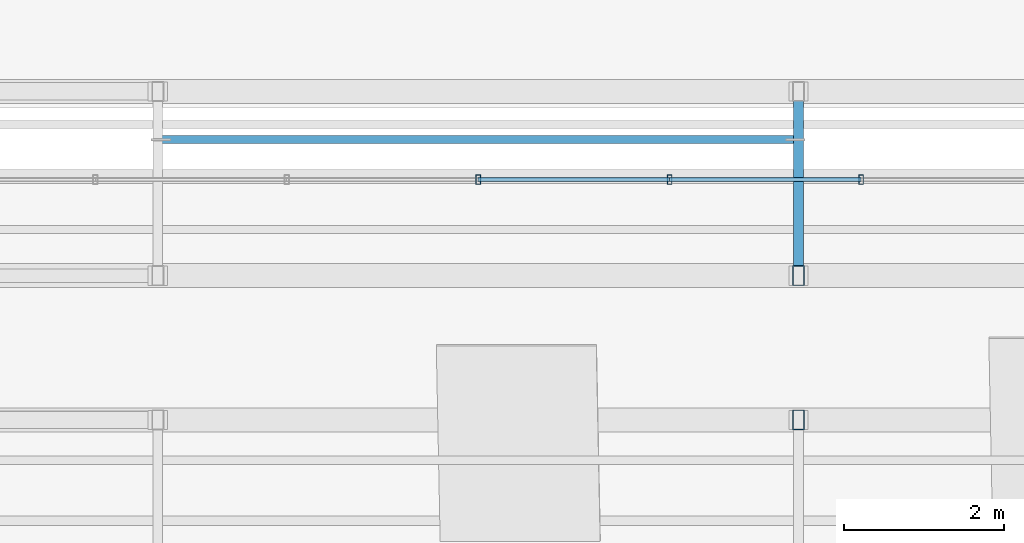
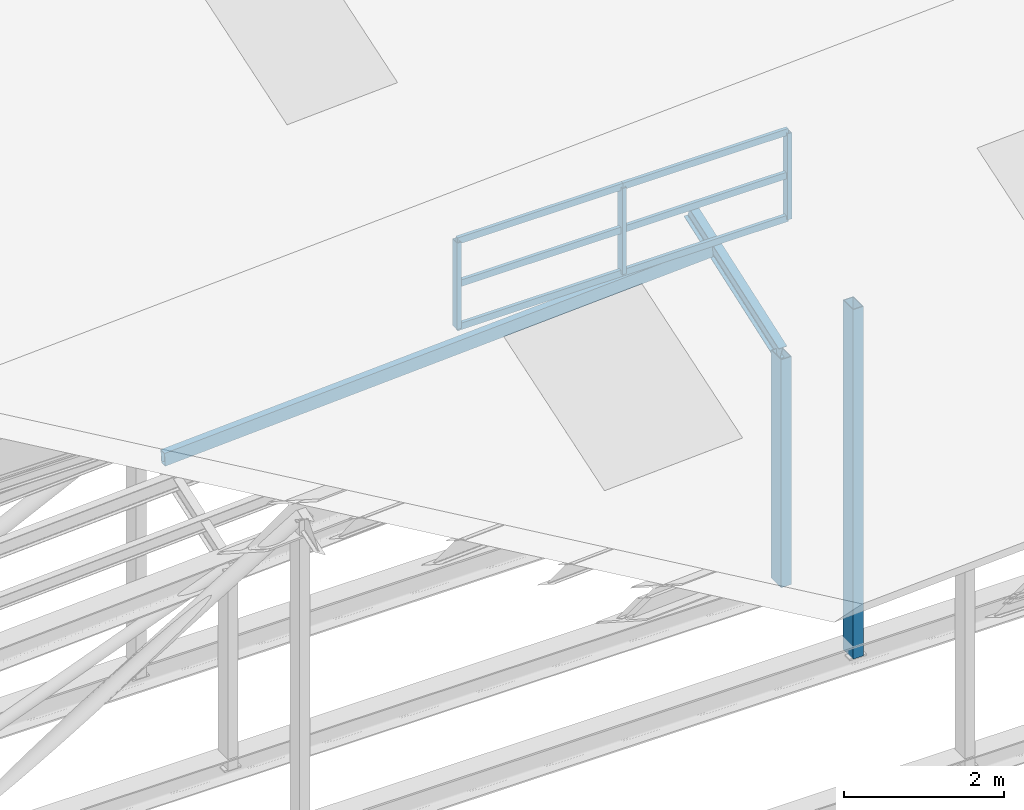
# One storey, part 90 of 141: 13 members, 1 element without a shape of its own.
"""IFC4 building model written with IfcOpenShell, lengths in metres."""

from ifc_helpers import new_model, si_unit, direction, frame, origin, origin_2d, place, context, subcontext, project, spatial, hollow_rectangle, i_section, extrude, material, material_profile, profile_set, type_object, element, aggregate, save


model = new_model("IFC4")

# Units and contexts
model_context = context("Model", 3, precision=1e-05, world=origin(), true_north=direction((0.0, 1.0)))
body_context = subcontext(model_context, "Body", "Model", "MODEL_VIEW")
ifc_project = project(units=[si_unit("LENGTHUNIT", "METRE"), si_unit("AREAUNIT", "SQUARE_METRE"), si_unit("VOLUMEUNIT", "CUBIC_METRE"), si_unit("PLANEANGLEUNIT", "RADIAN"), si_unit("MASSUNIT", "GRAM", prefix="KILO")], contexts=[model_context])

# Site, building, storey
site_placement = place(None, origin())
site = spatial("IfcSite", under=ifc_project, at=site_placement, CompositionType="ELEMENT")
building_placement = place(site_placement, origin())
building = spatial("IfcBuilding", under=site, at=building_placement, Name="Sundkrona Museum", CompositionType="ELEMENT")
storey_placement = place(building_placement, frame((0.0, 0.0, 34.0)))
storey = spatial("IfcBuildingStorey", under=building, at=storey_placement, Name="RF", CompositionType="ELEMENT", Elevation=34.0)

# Curtain wall, members
ifc_material_1 = material(Name="Unitised Aluminium-Steel and Ceramic-Clad Curtain Walling", Category="steel")
curtain_wall_type = type_object("IfcCurtainWallType", Name="CW-SW-240x13", PredefinedType="NOTDEFINED", material=ifc_material_1)
curtain_wall_placement = place(storey_placement, origin())
curtain_wall = element("IfcCurtainWall", 1, at=curtain_wall_placement, inside=storey, type_object=curtain_wall_type, Name="Sawtooth Bay 6 West North-Light Clerestory", PredefinedType="NOTDEFINED")
ifc_material_2 = material(Name="Aluminium EN AW-6060 T66", Category="aluminium")
ifc_material_profile_1 = material_profile(ifc_material_2, hollow_rectangle(XDim=0.06005859375, YDim=0.1201171875, WallThickness=0.0048828125, at=origin_2d()), Name="RHS 120x60x5.0")
ifc_profile_set_1 = profile_set([ifc_material_profile_1], Name="Aluminium EN AW-6060 T66")
member_type_1 = type_object("IfcMemberType", Name="ML-120", PredefinedType="MULLION", material=ifc_profile_set_1)
member_1_placement = place(storey_placement, frame((132.0, 42.699951171875, 4.31298828125), z_axis=(0.0, 0.0, 1.0), x_axis=(1.0, 0.0, 0.0)))
member_1 = element("IfcMember", 2, at=member_1_placement, type_object=member_type_1, Name="CW-RF-SAW-06W Mullion 06", PredefinedType="MULLION", context=body_context, shape_type="SweptSolid", body=[
    extrude(hollow_rectangle(XDim=0.06005859375, YDim=0.1201171875, WallThickness=0.0048828125, at=origin_2d()), origin(), (0.0, 0.0, 1.0), 1.320068359375),
])
member_2_placement = place(storey_placement, frame((134.389892578125, 42.699951171875, 4.31298828125), z_axis=(0.0, 0.0, 1.0), x_axis=(1.0, 0.0, 0.0)))
member_2 = element("IfcMember", 3, at=member_2_placement, type_object=member_type_1, Name="CW-RF-SAW-06W Mullion 07", PredefinedType="MULLION", context=body_context, shape_type="SweptSolid", body=[
    extrude(hollow_rectangle(XDim=0.06005859375, YDim=0.1201171875, WallThickness=0.0048828125, at=origin_2d()), origin(), (0.0, 0.0, 1.0), 1.320068359375),
])
member_3_placement = place(storey_placement, frame((136.780029296875, 42.699951171875, 4.31298828125), z_axis=(0.0, 0.0, 1.0), x_axis=(1.0, 0.0, 0.0)))
member_3 = element("IfcMember", 4, at=member_3_placement, type_object=member_type_1, Name="CW-RF-SAW-06W Mullion 08", PredefinedType="MULLION", context=body_context, shape_type="SweptSolid", body=[
    extrude(hollow_rectangle(XDim=0.06005859375, YDim=0.1201171875, WallThickness=0.0048828125, at=origin_2d()), origin(), (0.0, 0.0, 1.0), 1.320068359375),
])

# Members
ifc_material_3 = material(Name="Steel S355J2", Category="steel")
ifc_material_profile_2 = material_profile(ifc_material_3, i_section(OverallWidth=0.1201171875, OverallDepth=0.239990234375, WebThickness=0.006103515625, FlangeThickness=0.009765625, FilletRadius=0.014892578125, at=origin_2d()), Name="IPE 240")
ifc_profile_set_2 = profile_set([ifc_material_profile_2], Name="Steel S355J2")
member_type_2 = type_object("IfcMemberType", Name="PR-IPE240", PredefinedType="PURLIN", material=ifc_profile_set_2)
member_4_placement = place(storey_placement, frame((136.0, 41.5, 3.234375), z_axis=(0.0, 0.943681756656, 0.330854563447), x_axis=(-1.0, 0.0, 0.0)))
element("IfcMember", 5, at=member_4_placement, inside=storey, type_object=member_type_2, Name="RFS-1 Sawtooth Bay 7 Transverse Rafter 3", PredefinedType="PURLIN", context=body_context, shape_type="SweptSolid", body=[
    extrude(i_section(OverallWidth=0.1201171875, OverallDepth=0.239990234375, WebThickness=0.006103515625, FlangeThickness=0.009765625, FilletRadius=0.014892578125, at=origin_2d()), origin(), (0.0, 0.0, 1.0), 2.437255859375),
])
ifc_material_profile_3 = material_profile(ifc_material_3, hollow_rectangle(XDim=0.10009765625, YDim=0.199951171875, WallThickness=0.008056640625, at=origin_2d()), Name="RHS 200x100x8.0")
ifc_profile_set_3 = profile_set([ifc_material_profile_3], Name="Steel S355J2")
member_type_3 = type_object("IfcMemberType", Name="PR-RHS200", PredefinedType="PURLIN", material=ifc_profile_set_3)
member_5_placement = place(storey_placement, frame((128.0400390625, 43.199951171875, 3.389404296875), z_axis=(0.998539806158, 0.0, 0.054020880389), x_axis=(0.0, 1.0, 0.0)))
element("IfcMember", 6, at=member_5_placement, inside=storey, type_object=member_type_3, Name="RFS-1 Sawtooth Bay 7 Valley Trim Purlin", PredefinedType="PURLIN", context=body_context, shape_type="SweptSolid", body=[
    extrude(hollow_rectangle(XDim=0.10009765625, YDim=0.199951171875, WallThickness=0.008056640625, at=origin_2d()), origin(), (0.0, 0.0, 1.0), 7.931396484375),
])
ifc_material_profile_4 = material_profile(ifc_material_3, hollow_rectangle(XDim=0.14990234375, YDim=0.25, WallThickness=0.010009765625, at=origin_2d()), Name="RHS 250x150x10.0")
ifc_profile_set_4 = profile_set([ifc_material_profile_4], Name="Steel S355J2")
member_type_4 = type_object("IfcMemberType", Name="ST-RHS250", PredefinedType="STRUT", material=ifc_profile_set_4)
member_6_placement = place(storey_placement, frame((136.0, 39.699951171875, -0.25), z_axis=(0.0, 0.0, 1.0), x_axis=(1.0, 0.0, 0.0)))
element("IfcMember", 7, at=member_6_placement, inside=storey, type_object=member_type_4, Name="RFS-1 Sawtooth Truss 6 Vertical Post 3", PredefinedType="STRUT", context=body_context, shape_type="SweptSolid", body=[
    extrude(hollow_rectangle(XDim=0.14990234375, YDim=0.25, WallThickness=0.010009765625, at=origin_2d()), origin(), (0.0, 0.0, 1.0), 5.343017578125),
])
member_7_placement = place(storey_placement, frame((136.0, 41.5, -0.25), z_axis=(0.0, 0.0, 1.0), x_axis=(1.0, 0.0, 0.0)))
element("IfcMember", 8, at=member_7_placement, inside=storey, type_object=member_type_4, Name="RFS-1 Sawtooth Bay 7 Valley Post 3", PredefinedType="STRUT", context=body_context, shape_type="SweptSolid", body=[
    extrude(hollow_rectangle(XDim=0.14990234375, YDim=0.25, WallThickness=0.010009765625, at=origin_2d()), origin(), (0.0, 0.0, 1.0), 3.484375),
])

# Member
ifc_material_profile_5 = material_profile(ifc_material_2, hollow_rectangle(XDim=0.050048828125, YDim=0.10009765625, WallThickness=0.0048828125, at=origin_2d()), Name="RHS 100x50x5.0")
ifc_profile_set_5 = profile_set([ifc_material_profile_5], Name="Aluminium EN AW-6060 T66")
member_type_5 = type_object("IfcMemberType", Name="TR-100", PredefinedType="USERDEFINED", material=ifc_profile_set_5)
member_8_placement = place(storey_placement, frame((132.0, 42.699951171875, 4.31298828125), z_axis=(1.0, 0.0, 0.0), x_axis=(0.0, 1.0, 0.0)))
member_8 = element("IfcMember", 9, at=member_8_placement, type_object=member_type_5, Name="CW-RF-SAW-06W Transom 16", ObjectType="TRANSOM", PredefinedType="USERDEFINED", context=body_context, shape_type="SweptSolid", body=[
    extrude(hollow_rectangle(XDim=0.050048828125, YDim=0.10009765625, WallThickness=0.0048828125, at=origin_2d()), origin(), (0.0, 0.0, 1.0), 2.389892578125),
])

member_9_placement = place(storey_placement, frame((132.0, 42.699951171875, 4.972900390625), z_axis=(1.0, 0.0, 0.0), x_axis=(0.0, 1.0, 0.0)))
member_9 = element("IfcMember", 10, at=member_9_placement, type_object=member_type_5, Name="CW-RF-SAW-06W Transom 17", ObjectType="TRANSOM", PredefinedType="USERDEFINED", context=body_context, shape_type="SweptSolid", body=[
    extrude(hollow_rectangle(XDim=0.050048828125, YDim=0.10009765625, WallThickness=0.0048828125, at=origin_2d()), origin(), (0.0, 0.0, 1.0), 2.389892578125),
])

member_10_placement = place(storey_placement, frame((132.0, 42.699951171875, 5.633056640625), z_axis=(1.0, 0.0, 0.0), x_axis=(0.0, 1.0, 0.0)))
member_10 = element("IfcMember", 11, at=member_10_placement, type_object=member_type_5, Name="CW-RF-SAW-06W Transom 18", ObjectType="TRANSOM", PredefinedType="USERDEFINED", context=body_context, shape_type="SweptSolid", body=[
    extrude(hollow_rectangle(XDim=0.050048828125, YDim=0.10009765625, WallThickness=0.0048828125, at=origin_2d()), origin(), (0.0, 0.0, 1.0), 2.389892578125),
])

member_11_placement = place(storey_placement, frame((134.389892578125, 42.699951171875, 4.31298828125), z_axis=(1.0, 0.0, 0.0), x_axis=(0.0, 1.0, 0.0)))
member_11 = element("IfcMember", 12, at=member_11_placement, type_object=member_type_5, Name="CW-RF-SAW-06W Transom 19", ObjectType="TRANSOM", PredefinedType="USERDEFINED", context=body_context, shape_type="SweptSolid", body=[
    extrude(hollow_rectangle(XDim=0.050048828125, YDim=0.10009765625, WallThickness=0.0048828125, at=origin_2d()), origin(), (0.0, 0.0, 1.0), 2.39013671875),
])

member_12_placement = place(storey_placement, frame((134.389892578125, 42.699951171875, 4.972900390625), z_axis=(1.0, 0.0, 0.0), x_axis=(0.0, 1.0, 0.0)))
member_12 = element("IfcMember", 13, at=member_12_placement, type_object=member_type_5, Name="CW-RF-SAW-06W Transom 20", ObjectType="TRANSOM", PredefinedType="USERDEFINED", context=body_context, shape_type="SweptSolid", body=[
    extrude(hollow_rectangle(XDim=0.050048828125, YDim=0.10009765625, WallThickness=0.0048828125, at=origin_2d()), origin(), (0.0, 0.0, 1.0), 2.39013671875),
])

member_13_placement = place(storey_placement, frame((134.389892578125, 42.699951171875, 5.633056640625), z_axis=(1.0, 0.0, 0.0), x_axis=(0.0, 1.0, 0.0)))
member_13 = element("IfcMember", 14, at=member_13_placement, type_object=member_type_5, Name="CW-RF-SAW-06W Transom 21", ObjectType="TRANSOM", PredefinedType="USERDEFINED", context=body_context, shape_type="SweptSolid", body=[
    extrude(hollow_rectangle(XDim=0.050048828125, YDim=0.10009765625, WallThickness=0.0048828125, at=origin_2d()), origin(), (0.0, 0.0, 1.0), 2.39013671875),
])

aggregate(curtain_wall, [member_1, member_2, member_3, member_8, member_9, member_10, member_11, member_12, member_13])

save(model, "model.ifc")
